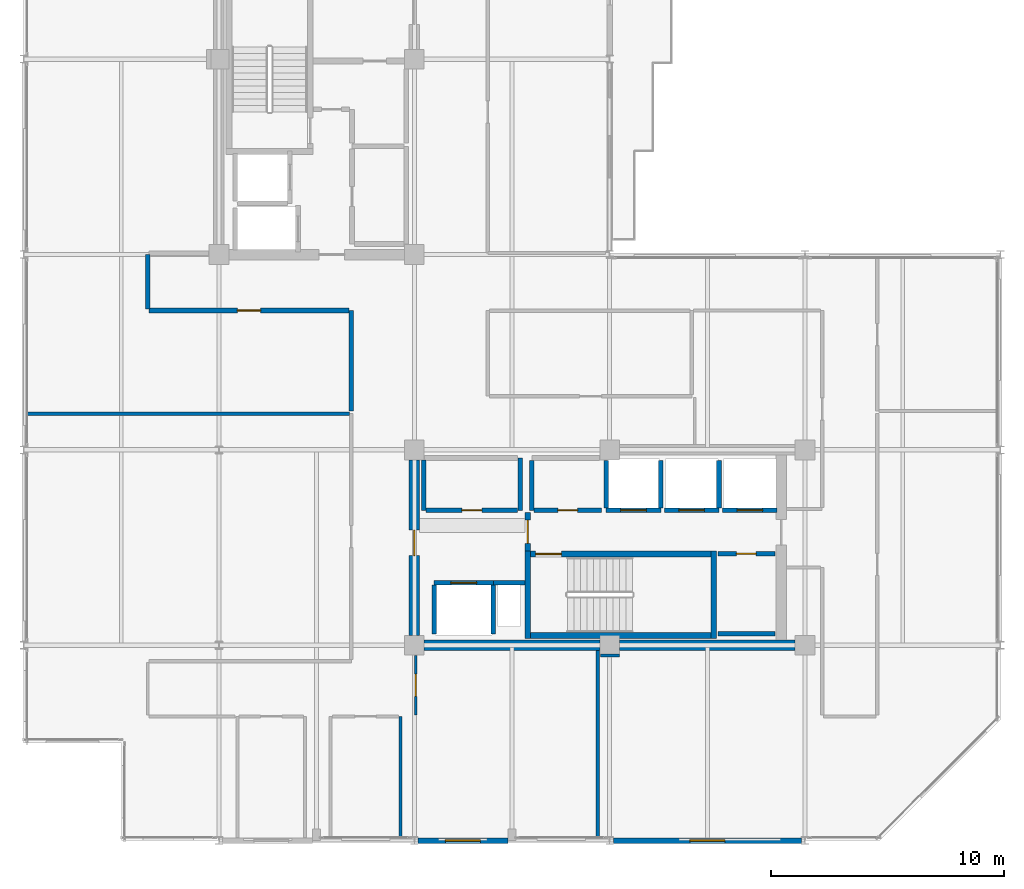
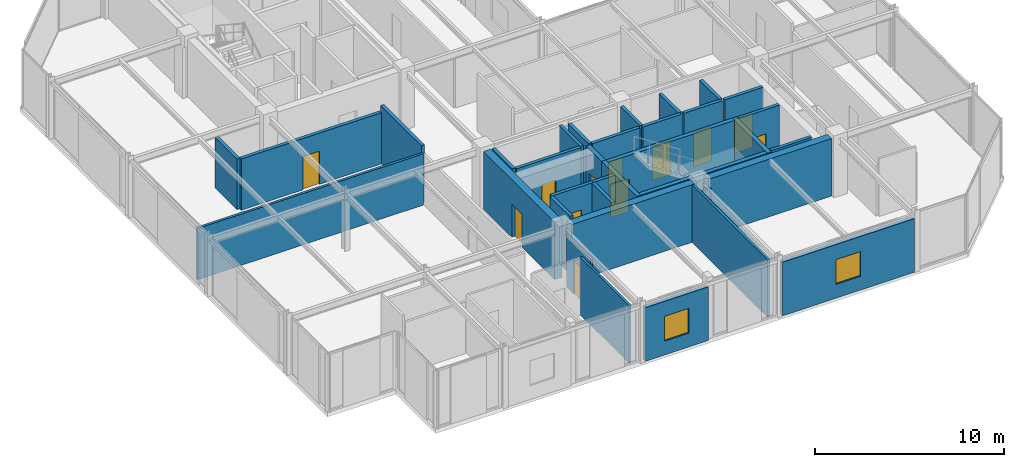
# One storey, part 21 of 26: 35 walls, 12 doors, 2 windows, 14 openings.
"""IFC4 building model written with IfcOpenShell, lengths in metres."""

from ifc_helpers import new_model, si_unit, direction, frame, frame_2d, origin, place, context, subcontext, project, spatial, rectangle, extrude, material, layer, layer_set, type_object, element, fill, save


model = new_model("IFC4")

# Units and contexts
model_context = context("Model", 3, precision=1e-05, world=origin(), true_north=direction((0.0, 1.0)))
body_context = subcontext(model_context, "Body", "Model", "MODEL_VIEW")
ifc_project = project(units=[si_unit("LENGTHUNIT", "METRE"), si_unit("AREAUNIT", "SQUARE_METRE"), si_unit("VOLUMEUNIT", "CUBIC_METRE"), si_unit("PLANEANGLEUNIT", "RADIAN"), si_unit("MASSUNIT", "GRAM", prefix="KILO")], contexts=[model_context])

# Site, building, storey
site_placement = place(None, origin())
site = spatial("IfcSite", under=ifc_project, at=site_placement, CompositionType="ELEMENT")
building_placement = place(site_placement, origin())
building = spatial("IfcBuilding", under=site, at=building_placement, Name="Nerrivon Quay Data Exchange", CompositionType="ELEMENT")
storey_placement = place(building_placement, frame((0.0, 0.0, 258.199951171875)))
storey = spatial("IfcBuildingStorey", under=building, at=storey_placement, Name="L61", CompositionType="ELEMENT", Elevation=258.199951171875)

# Wall, opening, window
ifc_material_1 = material(Name="Architectural terracotta precast concrete N50 (50 MPa)", Category="masonry")
ifc_layer_1 = layer(ifc_material_1, 0.239990234375)
ifc_layer_set_1 = layer_set([ifc_layer_1], Name="Architectural terracotta precast concrete N50 (50 MPa)")
wall_type_1 = type_object("IfcWallType", Name="EW-PREC-240", PredefinedType="STANDARD", material=ifc_layer_set_1)
wall_1_placement = place(storey_placement, frame((33.444580078125, 0.0, 0.0), z_axis=(0.0, 0.0, 1.0), x_axis=(-1.0, 0.0, 0.0)))
wall_1 = element("IfcWall", 1, at=wall_1_placement, inside=storey, type_object=wall_type_1, Name="L61 Podium Precast Spandrel Wall 3", PredefinedType="STANDARD", context=body_context, shape_type="SweptSolid", body=[
    extrude(rectangle(XDim=8.089111328125, YDim=0.239990234375, at=frame_2d((4.04443359375, 0.0))), origin(), (0.0, 0.0, 1.0), 3.47509765625),
])
opening_1_placement = place(wall_1_placement, frame((3.29443359375, 0.0, 0.89990234375)))
opening_1 = element("IfcOpeningElement", 2, at=opening_1_placement, cuts=wall_1, Name="Opening WN4", PredefinedType="OPENING", context=body_context, shape_type="SweptSolid", body=[
    extrude(rectangle(XDim=1.5, YDim=1.60009765625, at=frame_2d((0.75, 0.800048828125))), frame((0.0, 0.1298828125, 0.0), z_axis=(0.0, -1.0, 0.0), x_axis=(1.0, 0.0, 0.0)), (0.0, 0.0, 1.0), 0.260009765625),
])
ifc_material_2 = material(Name="Double-glazed low-E solar control glass", Category="glass")
window_type = type_object("IfcWindowType", Name="WIN-W4-1500x1600", PartitioningType="SINGLE_PANEL", PredefinedType="WINDOW", material=ifc_material_2)
window_1_placement = place(opening_1_placement, origin())
window_1 = element("IfcWindow", 3, at=window_1_placement, inside=storey, type_object=window_type, Name="L61 Solar Facade Window 3", OverallHeight=1.60009765625, OverallWidth=1.5, PartitioningType="SINGLE_PANEL", PredefinedType="WINDOW", context=body_context, shape_type="SweptSolid", body=[
    extrude(rectangle(XDim=1.5, YDim=1.60009765625, at=frame_2d((0.75, 0.800048828125))), frame((0.0, 0.030029296875, 0.0), z_axis=(0.0, -1.0, 0.0), x_axis=(1.0, 0.0, 0.0)), (0.0, 0.0, 1.0), 0.06005859375),
])
fill(opening_1, window_1)

wall_2_placement = place(storey_placement, frame((20.824951171875, 0.0, 0.0), z_axis=(0.0, 0.0, 1.0), x_axis=(-1.0, 0.0, 0.0)))
wall_2 = element("IfcWall", 4, at=wall_2_placement, inside=storey, type_object=wall_type_1, Name="L61 Podium Precast Spandrel Wall 5", PredefinedType="STANDARD", context=body_context, shape_type="SweptSolid", body=[
    extrude(rectangle(XDim=3.869384765625, YDim=0.239990234375, at=frame_2d((1.9345703125, 0.0))), origin(), (0.0, 0.0, 1.0), 3.47509765625),
])
opening_2_placement = place(wall_2_placement, frame((1.184814453125, 0.0, 0.89990234375)))
opening_2 = element("IfcOpeningElement", 5, at=opening_2_placement, cuts=wall_2, Name="Opening WN4", PredefinedType="OPENING", context=body_context, shape_type="SweptSolid", body=[
    extrude(rectangle(XDim=1.5, YDim=1.60009765625, at=frame_2d((0.75, 0.800048828125))), frame((0.0, 0.1298828125, 0.0), z_axis=(0.0, -1.0, 0.0), x_axis=(1.0, 0.0, 0.0)), (0.0, 0.0, 1.0), 0.260009765625),
])
window_2_placement = place(opening_2_placement, origin())
window_2 = element("IfcWindow", 6, at=window_2_placement, inside=storey, type_object=window_type, Name="L61 Solar Facade Window 5", OverallHeight=1.60009765625, OverallWidth=1.5, PartitioningType="SINGLE_PANEL", PredefinedType="WINDOW", context=body_context, shape_type="SweptSolid", body=[
    extrude(rectangle(XDim=1.5, YDim=1.60009765625, at=frame_2d((0.75, 0.800048828125))), frame((0.0, 0.030029296875, 0.0), z_axis=(0.0, -1.0, 0.0), x_axis=(1.0, 0.0, 0.0)), (0.0, 0.0, 1.0), 0.06005859375),
])
fill(opening_2, window_2)

# Walls
ifc_material_3 = material(Name="Concrete N50 (50 MPa)", Category="concrete")
ifc_layer_2 = layer(ifc_material_3, 0.449951171875)
ifc_layer_set_2 = layer_set([ifc_layer_2], Name="Concrete N50 (50 MPa)")
wall_type_2 = type_object("IfcWallType", Name="WALL-CW-550", PredefinedType="SHEAR", material=ifc_layer_set_2)
wall_3_placement = place(storey_placement, frame((17.22509765625, 8.39990234375, 0.0), z_axis=(0.0, 0.0, 1.0), x_axis=(1.0, 0.0, 0.0)))
element("IfcWall", 7, at=wall_3_placement, inside=storey, type_object=wall_type_2, Name="L61 East Split-Core Shear Wall ECW-S1", PredefinedType="SHEAR", context=body_context, shape_type="SweptSolid", body=[
    extrude(rectangle(XDim=7.5498046875, YDim=0.449951171875, at=frame_2d((3.77490234375, 0.0))), origin(), (0.0, 0.0, 1.0), 3.72509765625),
])
wall_4_placement = place(storey_placement, frame((25.625, 8.39990234375, 0.0), z_axis=(0.0, 0.0, 1.0), x_axis=(1.0, 0.0, 0.0)))
element("IfcWall", 8, at=wall_4_placement, inside=storey, type_object=wall_type_2, Name="L61 East Split-Core Shear Wall ECW-S2", PredefinedType="SHEAR", context=body_context, shape_type="SweptSolid", body=[
    extrude(rectangle(XDim=7.550048828125, YDim=0.449951171875, at=frame_2d((3.77490234375, 0.0))), origin(), (0.0, 0.0, 1.0), 3.72509765625),
])

# Wall, opening, door
wall_5_placement = place(storey_placement, frame((16.800048828125, 8.824951171875, 0.0), z_axis=(0.0, 0.0, 1.0), x_axis=(0.0, 1.0, 0.0)))
wall_5 = element("IfcWall", 9, at=wall_5_placement, inside=storey, type_object=wall_type_2, Name="L61 East Split-Core Shear Wall ECW-W1", PredefinedType="SHEAR", context=body_context, shape_type="SweptSolid", body=[
    extrude(rectangle(XDim=7.550048828125, YDim=0.449951171875, at=frame_2d((3.77490234375, 0.0))), origin(), (0.0, 0.0, 1.0), 3.72509765625),
])
opening_3_placement = place(wall_5_placement, frame((3.425048828125, 0.0, 0.0)))
opening_3 = element("IfcOpeningElement", 10, at=opening_3_placement, cuts=wall_5, Name="Opening FD-120", PredefinedType="OPENING", context=body_context, shape_type="SweptSolid", body=[
    extrude(rectangle(XDim=1.10009765625, YDim=2.14990234375, at=frame_2d((0.550048828125, 1.074951171875))), frame((0.0, 0.23486328125, 0.0), z_axis=(0.0, -1.0, 0.0), x_axis=(1.0, 0.0, 0.0)), (0.0, 0.0, 1.0), 0.469970703125),
])
ifc_material_4 = material(Name="Powder-coated galvanized steel sheet", Category="steel")
door_type_1 = type_object("IfcDoorType", Name="DR-FD120-1100", OperationType="NOTDEFINED", PredefinedType="DOOR", material=ifc_material_4)
door_1_placement = place(opening_3_placement, origin())
door_1 = element("IfcDoor", 11, at=door_1_placement, inside=storey, type_object=door_type_1, Name="L61 East Core Lobby Fire Door", OperationType="SINGLE_SWING_LEFT", OverallHeight=2.14990234375, OverallWidth=1.10009765625, PredefinedType="DOOR", context=body_context, shape_type="SweptSolid", body=[
    extrude(rectangle(XDim=1.10009765625, YDim=2.14990234375, at=frame_2d((0.550048828125, 1.074951171875))), frame((0.0, 0.02490234375, 0.0), z_axis=(0.0, -1.0, 0.0), x_axis=(1.0, 0.0, 0.0)), (0.0, 0.0, 1.0), 0.050048828125),
])
fill(opening_3, door_1)

# Wall
ifc_material_5 = material(Name="Gypsum plasterboard on cold-formed framing", Category="gypsum")
ifc_layer_3 = layer(ifc_material_5, 0.199951171875)
ifc_layer_set_3 = layer_set([ifc_layer_3], Name="Gypsum plasterboard on cold-formed framing")
wall_type_3 = type_object("IfcWallType", Name="WALL-FW-200", PredefinedType="PARTITIONING", material=ifc_layer_set_3)
wall_6_placement = place(storey_placement, frame((20.199951171875, 11.080078125, 0.0), z_axis=(0.0, 0.0, 1.0), x_axis=(1.0, 0.0, 0.0)))
element("IfcWall", 12, at=wall_6_placement, inside=storey, type_object=wall_type_3, Name="L61 East Core MEP Riser Shaft Wall N", PredefinedType="PARTITIONING", context=body_context, shape_type="SweptSolid", body=[
    extrude(rectangle(XDim=1.35009765625, YDim=0.199951171875, at=frame_2d((0.675048828125, 0.0))), origin(), (0.0, 0.0, 1.0), 3.72509765625),
])

# Wall, opening, door
wall_7_placement = place(storey_placement, frame((17.64990234375, 11.080078125, 0.0), z_axis=(0.0, 0.0, 1.0), x_axis=(1.0, 0.0, 0.0)))
wall_7 = element("IfcWall", 13, at=wall_7_placement, inside=storey, type_object=wall_type_3, Name="L61 Lift Front Wall FFL-2", PredefinedType="PARTITIONING", context=body_context, shape_type="SweptSolid", body=[
    extrude(rectangle(XDim=2.550048828125, YDim=0.199951171875, at=frame_2d((1.27490234375, 0.0))), origin(), (0.0, 0.0, 1.0), 3.72509765625),
])
opening_4_placement = place(wall_7_placement, frame((0.72509765625, 0.0, 0.0)))
opening_4 = element("IfcOpeningElement", 14, at=opening_4_placement, cuts=wall_7, Name="Opening LD-120", PredefinedType="OPENING", context=body_context, shape_type="SweptSolid", body=[
    extrude(rectangle(XDim=1.10009765625, YDim=2.199951171875, at=frame_2d((0.550048828125, 1.10009765625))), frame((0.0, 0.10986328125, 0.0), z_axis=(0.0, -1.0, 0.0), x_axis=(1.0, 0.0, 0.0)), (0.0, 0.0, 1.0), 0.219970703125),
])
door_type_2 = type_object("IfcDoorType", Name="DR-LIFT-LD120", OperationType="DOUBLE_DOOR_SLIDING", PredefinedType="DOOR", material=ifc_material_4)
door_2_placement = place(opening_4_placement, origin())
door_2 = element("IfcDoor", 15, at=door_2_placement, inside=storey, type_object=door_type_2, Name="L61 Lift Landing Sliding Door FFL-2", OperationType="DOUBLE_DOOR_SLIDING", OverallHeight=2.199951171875, OverallWidth=1.10009765625, PredefinedType="DOOR", context=body_context, shape_type="SweptSolid", body=[
    extrude(rectangle(XDim=1.10009765625, YDim=2.199951171875, at=frame_2d((0.550048828125, 1.10009765625))), frame((0.0, 0.02490234375, 0.0), z_axis=(0.0, -1.0, 0.0), x_axis=(1.0, 0.0, 0.0)), (0.0, 0.0, 1.0), 0.050048828125),
])
fill(opening_4, door_2)

# Walls
for number, where, z_axis, x_axis, name in (
    (16, (20.199951171875, 8.8798828125, 0.0), (0.0, 0.0, 1.0), (0.0, 1.0, 0.0), "L61 Lift Shaft Wall FFL-2 EAST"),
    (17, (17.64990234375, 8.8798828125, 0.0), (0.0, 0.0, 1.0), (0.0, 1.0, 0.0), "L61 Lift Shaft Wall FFL-2 WEST"),
):
    element("IfcWall", number, at=place(storey_placement, frame(where, z_axis=z_axis, x_axis=x_axis)), inside=storey, type_object=wall_type_3, Name=name, PredefinedType="PARTITIONING", context=body_context, shape_type="SweptSolid", body=[
        extrude(rectangle(XDim=2.10009765625, YDim=0.199951171875, at=frame_2d((1.050048828125, 0.0))), origin(), (0.0, 0.0, 1.0), 3.72509765625),
    ])

# Wall, opening, door
wall_8_placement = place(storey_placement, frame((25.050048828125, 14.199951171875, 0.0), z_axis=(0.0, 0.0, 1.0), x_axis=(1.0, 0.0, 0.0)))
wall_8 = element("IfcWall", 18, at=wall_8_placement, inside=storey, type_object=wall_type_3, Name="L61 Lift Front Wall PL7", PredefinedType="PARTITIONING", context=body_context, shape_type="SweptSolid", body=[
    extrude(rectangle(XDim=2.349853515625, YDim=0.199951171875, at=frame_2d((1.1748046875, 0.0))), origin(), (0.0, 0.0, 1.0), 3.72509765625),
])
opening_5_placement = place(wall_8_placement, frame((0.625, 0.0, 0.0)))
opening_5 = element("IfcOpeningElement", 19, at=opening_5_placement, cuts=wall_8, Name="Opening LD-120", PredefinedType="OPENING", context=body_context, shape_type="SweptSolid", body=[
    extrude(rectangle(XDim=1.10009765625, YDim=2.199951171875, at=frame_2d((0.550048828125, 1.10009765625))), frame((0.0, 0.10986328125, 0.0), z_axis=(0.0, -1.0, 0.0), x_axis=(1.0, 0.0, 0.0)), (0.0, 0.0, 1.0), 0.219970703125),
])
door_3_placement = place(opening_5_placement, origin())
door_3 = element("IfcDoor", 20, at=door_3_placement, inside=storey, type_object=door_type_2, Name="L61 Lift Landing Sliding Door PL7", OperationType="DOUBLE_DOOR_SLIDING", OverallHeight=2.199951171875, OverallWidth=1.10009765625, PredefinedType="DOOR", context=body_context, shape_type="SweptSolid", body=[
    extrude(rectangle(XDim=1.10009765625, YDim=2.199951171875, at=frame_2d((0.550048828125, 1.10009765625))), frame((0.0, 0.02490234375, 0.0), z_axis=(0.0, -1.0, 0.0), x_axis=(1.0, 0.0, 0.0)), (0.0, 0.0, 1.0), 0.050048828125),
])
fill(opening_5, door_3)

# Walls
for number, where, z_axis, x_axis, name in (
    (21, (27.39990234375, 14.300048828125, 0.0), (0.0, 0.0, 1.0), (0.0, 1.0, 0.0), "L61 Lift Shaft Wall PL7 EAST"),
    (22, (25.050048828125, 14.300048828125, 0.0), (0.0, 0.0, 1.0), (0.0, 1.0, 0.0), "L61 Lift Shaft Wall PL7 WEST"),
):
    element("IfcWall", number, at=place(storey_placement, frame(where, z_axis=z_axis, x_axis=x_axis)), inside=storey, type_object=wall_type_3, Name=name, PredefinedType="PARTITIONING", context=body_context, shape_type="SweptSolid", body=[
        extrude(rectangle(XDim=2.050048828125, YDim=0.199951171875, at=frame_2d((1.02490234375, 0.0))), origin(), (0.0, 0.0, 1.0), 3.72509765625),
    ])

# Wall, opening, door
wall_9_placement = place(storey_placement, frame((27.550048828125, 14.199951171875, 0.0), z_axis=(0.0, 0.0, 1.0), x_axis=(1.0, 0.0, 0.0)))
wall_9 = element("IfcWall", 23, at=wall_9_placement, inside=storey, type_object=wall_type_3, Name="L61 Lift Front Wall PL8", PredefinedType="PARTITIONING", context=body_context, shape_type="SweptSolid", body=[
    extrude(rectangle(XDim=2.349853515625, YDim=0.199951171875, at=frame_2d((1.1748046875, 0.0))), origin(), (0.0, 0.0, 1.0), 3.72509765625),
])
opening_6_placement = place(wall_9_placement, frame((0.625, 0.0, 0.0)))
opening_6 = element("IfcOpeningElement", 24, at=opening_6_placement, cuts=wall_9, Name="Opening LD-120", PredefinedType="OPENING", context=body_context, shape_type="SweptSolid", body=[
    extrude(rectangle(XDim=1.10009765625, YDim=2.199951171875, at=frame_2d((0.550048828125, 1.10009765625))), frame((0.0, 0.10986328125, 0.0), z_axis=(0.0, -1.0, 0.0), x_axis=(1.0, 0.0, 0.0)), (0.0, 0.0, 1.0), 0.219970703125),
])
door_4_placement = place(opening_6_placement, origin())
door_4 = element("IfcDoor", 25, at=door_4_placement, inside=storey, type_object=door_type_2, Name="L61 Lift Landing Sliding Door PL8", OperationType="DOUBLE_DOOR_SLIDING", OverallHeight=2.199951171875, OverallWidth=1.10009765625, PredefinedType="DOOR", context=body_context, shape_type="SweptSolid", body=[
    extrude(rectangle(XDim=1.10009765625, YDim=2.199951171875, at=frame_2d((0.550048828125, 1.10009765625))), frame((0.0, 0.02490234375, 0.0), z_axis=(0.0, -1.0, 0.0), x_axis=(1.0, 0.0, 0.0)), (0.0, 0.0, 1.0), 0.050048828125),
])
fill(opening_6, door_4)

# Wall
wall_10_placement = place(storey_placement, frame((29.89990234375, 14.300048828125, 0.0), z_axis=(0.0, 0.0, 1.0), x_axis=(0.0, 1.0, 0.0)))
element("IfcWall", 26, at=wall_10_placement, inside=storey, type_object=wall_type_3, Name="L61 Lift Shaft Wall PL8 EAST", PredefinedType="PARTITIONING", context=body_context, shape_type="SweptSolid", body=[
    extrude(rectangle(XDim=2.050048828125, YDim=0.199951171875, at=frame_2d((1.02490234375, 0.0))), origin(), (0.0, 0.0, 1.0), 3.72509765625),
])

# Wall, opening, door
wall_11_placement = place(storey_placement, frame((30.050048828125, 14.199951171875, 0.0), z_axis=(0.0, 0.0, 1.0), x_axis=(1.0, 0.0, 0.0)))
wall_11 = element("IfcWall", 27, at=wall_11_placement, inside=storey, type_object=wall_type_3, Name="L61 Lift Front Wall PL9", PredefinedType="PARTITIONING", context=body_context, shape_type="SweptSolid", body=[
    extrude(rectangle(XDim=2.349853515625, YDim=0.199951171875, at=frame_2d((1.1748046875, 0.0))), origin(), (0.0, 0.0, 1.0), 3.72509765625),
])
opening_7_placement = place(wall_11_placement, frame((0.625, 0.0, 0.0)))
opening_7 = element("IfcOpeningElement", 28, at=opening_7_placement, cuts=wall_11, Name="Opening LD-120", PredefinedType="OPENING", context=body_context, shape_type="SweptSolid", body=[
    extrude(rectangle(XDim=1.10009765625, YDim=2.199951171875, at=frame_2d((0.550048828125, 1.10009765625))), frame((0.0, 0.10986328125, 0.0), z_axis=(0.0, -1.0, 0.0), x_axis=(1.0, 0.0, 0.0)), (0.0, 0.0, 1.0), 0.219970703125),
])
door_5_placement = place(opening_7_placement, origin())
door_5 = element("IfcDoor", 29, at=door_5_placement, inside=storey, type_object=door_type_2, Name="L61 Lift Landing Sliding Door PL9", OperationType="DOUBLE_DOOR_SLIDING", OverallHeight=2.199951171875, OverallWidth=1.10009765625, PredefinedType="DOOR", context=body_context, shape_type="SweptSolid", body=[
    extrude(rectangle(XDim=1.10009765625, YDim=2.199951171875, at=frame_2d((0.550048828125, 1.10009765625))), frame((0.0, 0.02490234375, 0.0), z_axis=(0.0, -1.0, 0.0), x_axis=(1.0, 0.0, 0.0)), (0.0, 0.0, 1.0), 0.050048828125),
])
fill(opening_7, door_5)

# Walls
wall_12_placement = place(storey_placement, frame((21.35009765625, 14.199951171875, 0.0), z_axis=(0.0, 0.0, 1.0), x_axis=(0.0, 1.0, 0.0)))
element("IfcWall", 30, at=wall_12_placement, inside=storey, type_object=wall_type_3, Name="L61 Partition High-Zone Optical Closet", PredefinedType="PARTITIONING", context=body_context, shape_type="SweptSolid", body=[
    extrude(rectangle(XDim=2.25, YDim=0.199951171875, at=frame_2d((1.125, 0.0))), origin(), (0.0, 0.0, 1.0), 3.72509765625),
])
wall_13_placement = place(storey_placement, frame((17.199951171875, 16.3701171875, 0.0), z_axis=(0.0, 0.0, 1.0), x_axis=(0.0, -1.0, 0.0)))
element("IfcWall", 31, at=wall_13_placement, inside=storey, type_object=wall_type_3, Name="L61 Partition High-Zone Optical Closet", PredefinedType="PARTITIONING", context=body_context, shape_type="SweptSolid", body=[
    extrude(rectangle(XDim=2.170166015625, YDim=0.199951171875, at=frame_2d((1.0849609375, 0.0))), origin(), (0.0, 0.0, 1.0), 3.72509765625),
])

# Wall, opening, door
wall_14_placement = place(storey_placement, frame((17.303955078125, 14.199951171875, 0.0), z_axis=(0.0, 0.0, 1.0), x_axis=(1.0, 0.0, 0.0)))
wall_14 = element("IfcWall", 32, at=wall_14_placement, inside=storey, type_object=wall_type_3, Name="L61 Partition High-Zone Optical Closet", PredefinedType="PARTITIONING", context=body_context, shape_type="SweptSolid", body=[
    extrude(rectangle(XDim=3.942138671875, YDim=0.199951171875, at=frame_2d((1.97119140625, 0.0))), origin(), (0.0, 0.0, 1.0), 3.72509765625),
])
opening_8_placement = place(wall_14_placement, frame((1.5458984375, 0.0, 0.0)))
opening_8 = element("IfcOpeningElement", 33, at=opening_8_placement, cuts=wall_14, Name="Opening FD-60S", PredefinedType="OPENING", context=body_context, shape_type="SweptSolid", body=[
    extrude(rectangle(XDim=0.85009765625, YDim=2.14990234375, at=frame_2d((0.425048828125, 1.074951171875))), frame((0.0, 0.10986328125, 0.0), z_axis=(0.0, -1.0, 0.0), x_axis=(1.0, 0.0, 0.0)), (0.0, 0.0, 1.0), 0.219970703125),
])
ifc_material_6 = material(Name="Engineered hardwood timber", Category="wood")
door_type_3 = type_object("IfcDoorType", Name="DR-FD60-850", OperationType="NOTDEFINED", PredefinedType="DOOR", material=ifc_material_6)
door_6_placement = place(opening_8_placement, origin())
door_6 = element("IfcDoor", 34, at=door_6_placement, inside=storey, type_object=door_type_3, Name="L61 Door High-Zone Optical Closet", OperationType="SINGLE_SWING_RIGHT", OverallHeight=2.14990234375, OverallWidth=0.85009765625, PredefinedType="DOOR", context=body_context, shape_type="SweptSolid", body=[
    extrude(rectangle(XDim=0.85009765625, YDim=2.14990234375, at=frame_2d((0.425048828125, 1.074951171875))), frame((0.0, 0.02490234375, 0.0), z_axis=(0.0, -1.0, 0.0), x_axis=(1.0, 0.0, 0.0)), (0.0, 0.0, 1.0), 0.050048828125),
])
fill(opening_8, door_6)

# Wall
wall_15_placement = place(storey_placement, frame((21.85009765625, 16.345947265625, 0.0), z_axis=(0.0, 0.0, 1.0), x_axis=(0.0, -1.0, 0.0)))
element("IfcWall", 35, at=wall_15_placement, inside=storey, type_object=wall_type_3, Name="L61 Partition High-Zone Supply Store", PredefinedType="PARTITIONING", context=body_context, shape_type="SweptSolid", body=[
    extrude(rectangle(XDim=2.14599609375, YDim=0.199951171875, at=frame_2d((1.072998046875, 0.0))), origin(), (0.0, 0.0, 1.0), 3.72509765625),
])

# Wall, opening, door
wall_16_placement = place(storey_placement, frame((21.9541015625, 14.199951171875, 0.0), z_axis=(0.0, 0.0, 1.0), x_axis=(1.0, 0.0, 0.0)))
wall_16 = element("IfcWall", 36, at=wall_16_placement, inside=storey, type_object=wall_type_3, Name="L61 Partition High-Zone Supply Store", PredefinedType="PARTITIONING", context=body_context, shape_type="SweptSolid", body=[
    extrude(rectangle(XDim=2.89599609375, YDim=0.199951171875, at=frame_2d((1.447998046875, 0.0))), origin(), (0.0, 0.0, 1.0), 3.72509765625),
])
opening_9_placement = place(wall_16_placement, frame((1.02294921875, 0.0, 0.0)))
opening_9 = element("IfcOpeningElement", 37, at=opening_9_placement, cuts=wall_16, Name="Opening FD-60S", PredefinedType="OPENING", context=body_context, shape_type="SweptSolid", body=[
    extrude(rectangle(XDim=0.85009765625, YDim=2.14990234375, at=frame_2d((0.425048828125, 1.074951171875))), frame((0.0, 0.10986328125, 0.0), z_axis=(0.0, -1.0, 0.0), x_axis=(1.0, 0.0, 0.0)), (0.0, 0.0, 1.0), 0.219970703125),
])
door_7_placement = place(opening_9_placement, origin())
door_7 = element("IfcDoor", 38, at=door_7_placement, inside=storey, type_object=door_type_3, Name="L61 Door High-Zone Supply Store", OperationType="SINGLE_SWING_LEFT", OverallHeight=2.14990234375, OverallWidth=0.85009765625, PredefinedType="DOOR", context=body_context, shape_type="SweptSolid", body=[
    extrude(rectangle(XDim=0.85009765625, YDim=2.14990234375, at=frame_2d((0.425048828125, 1.074951171875))), frame((0.0, 0.02490234375, 0.0), z_axis=(0.0, -1.0, 0.0), x_axis=(1.0, 0.0, 0.0)), (0.0, 0.0, 1.0), 0.050048828125),
])
fill(opening_9, door_7)

wall_17_placement = place(storey_placement, frame((32.300048828125, 12.330078125, 0.0), z_axis=(0.0, 0.0, 1.0), x_axis=(-1.0, 0.0, 0.0)))
wall_17 = element("IfcWall", 39, at=wall_17_placement, inside=storey, type_object=wall_type_3, Name="L61 Partition East Supply Store", PredefinedType="PARTITIONING", context=body_context, shape_type="SweptSolid", body=[
    extrude(rectangle(XDim=2.449951171875, YDim=0.199951171875, at=frame_2d((1.22509765625, 0.0))), origin(), (0.0, 0.0, 1.0), 3.72509765625),
])
opening_10_placement = place(wall_17_placement, frame((0.800048828125, 0.0, 0.0)))
opening_10 = element("IfcOpeningElement", 40, at=opening_10_placement, cuts=wall_17, Name="Opening FD-60S", PredefinedType="OPENING", context=body_context, shape_type="SweptSolid", body=[
    extrude(rectangle(XDim=0.85009765625, YDim=2.14990234375, at=frame_2d((0.425048828125, 1.074951171875))), frame((0.0, 0.10986328125, 0.0), z_axis=(0.0, -1.0, 0.0), x_axis=(1.0, 0.0, 0.0)), (0.0, 0.0, 1.0), 0.219970703125),
])
door_8_placement = place(opening_10_placement, origin())
door_8 = element("IfcDoor", 41, at=door_8_placement, inside=storey, type_object=door_type_3, Name="L61 Door East Supply Store", OperationType="SINGLE_SWING_RIGHT", OverallHeight=2.14990234375, OverallWidth=0.85009765625, PredefinedType="DOOR", context=body_context, shape_type="SweptSolid", body=[
    extrude(rectangle(XDim=0.85009765625, YDim=2.14990234375, at=frame_2d((0.425048828125, 1.074951171875))), frame((0.0, 0.02490234375, 0.0), z_axis=(0.0, -1.0, 0.0), x_axis=(1.0, 0.0, 0.0)), (0.0, 0.0, 1.0), 0.050048828125),
])
fill(opening_10, door_8)

# Walls
wall_18_placement = place(storey_placement, frame((29.85009765625, 8.89990234375, 0.0), z_axis=(0.0, 0.0, 1.0), x_axis=(1.0, 0.0, 0.0)))
element("IfcWall", 42, at=wall_18_placement, inside=storey, type_object=wall_type_3, Name="L61 Partition East Supply Store", PredefinedType="PARTITIONING", context=body_context, shape_type="SweptSolid", body=[
    extrude(rectangle(XDim=2.449951171875, YDim=0.199951171875, at=frame_2d((1.22509765625, 0.0))), origin(), (0.0, 0.0, 1.0), 3.72509765625),
])
wall_19_placement = place(storey_placement, frame((14.090087890625, 18.474853515625, 0.0), z_axis=(0.0, 0.0, 1.0), x_axis=(0.0, 1.0, 0.0)))
element("IfcWall", 43, at=wall_19_placement, inside=storey, type_object=wall_type_3, Name="L61 Partition Colocation Data Workspace 1", PredefinedType="PARTITIONING", context=body_context, shape_type="SweptSolid", body=[
    extrude(rectangle(XDim=4.315185546875, YDim=0.199951171875, at=frame_2d((2.15771484375, 0.0))), origin(), (0.0, 0.0, 1.0), 3.72509765625),
])

# Wall, opening, door
wall_20_placement = place(storey_placement, frame((13.986083984375, 22.7900390625, 0.0), z_axis=(0.0, 0.0, 1.0), x_axis=(-1.0, 0.0, 0.0)))
wall_20 = element("IfcWall", 44, at=wall_20_placement, inside=storey, type_object=wall_type_3, Name="L61 Partition Colocation Data Workspace 1", PredefinedType="PARTITIONING", context=body_context, shape_type="SweptSolid", body=[
    extrude(rectangle(XDim=8.586181640625, YDim=0.199951171875, at=frame_2d((4.29296875, 0.0))), origin(), (0.0, 0.0, 1.0), 3.319091796875),
])
opening_11_placement = place(wall_20_placement, frame((3.79296875, 0.0, 0.0)))
opening_11 = element("IfcOpeningElement", 45, at=opening_11_placement, cuts=wall_20, Name="Opening FD-60", PredefinedType="OPENING", context=body_context, shape_type="SweptSolid", body=[
    extrude(rectangle(XDim=1.0, YDim=2.14990234375, at=frame_2d((0.5, 1.074951171875))), frame((0.0, 0.10986328125, 0.0), z_axis=(0.0, -1.0, 0.0), x_axis=(1.0, 0.0, 0.0)), (0.0, 0.0, 1.0), 0.219970703125),
])
door_type_4 = type_object("IfcDoorType", Name="DR-FD60-1000", OperationType="NOTDEFINED", PredefinedType="DOOR", material=ifc_material_6)
door_9_placement = place(opening_11_placement, origin())
door_9 = element("IfcDoor", 46, at=door_9_placement, inside=storey, type_object=door_type_4, Name="L61 Door Colocation Data Workspace 1", OperationType="SINGLE_SWING_RIGHT", OverallHeight=2.14990234375, OverallWidth=1.0, PredefinedType="DOOR", context=body_context, shape_type="SweptSolid", body=[
    extrude(rectangle(XDim=1.0, YDim=2.14990234375, at=frame_2d((0.5, 1.074951171875))), frame((0.0, 0.02490234375, 0.0), z_axis=(0.0, -1.0, 0.0), x_axis=(1.0, 0.0, 0.0)), (0.0, 0.0, 1.0), 0.050048828125),
])
fill(opening_11, door_9)

# Wall
wall_21_placement = place(storey_placement, frame((5.340087890625, 22.85009765625, 0.0), z_axis=(0.0, 0.0, 1.0), x_axis=(0.0, 1.0, 0.0)))
element("IfcWall", 47, at=wall_21_placement, inside=storey, type_object=wall_type_3, Name="L61 Partition Colocation Data Workspace 1", PredefinedType="PARTITIONING", context=body_context, shape_type="SweptSolid", body=[
    extrude(rectangle(XDim=2.349853515625, YDim=0.199951171875, at=frame_2d((1.1748046875, 0.0))), origin(), (0.0, 0.0, 1.0), 3.27099609375),
])

# Wall, opening, door
ifc_layer_4 = layer(ifc_material_5, 0.1201171875)
ifc_layer_set_4 = layer_set([ifc_layer_4], Name="Gypsum plasterboard on cold-formed framing")
wall_type_4 = type_object("IfcWallType", Name="WALL-PT-120", PredefinedType="PARTITIONING", material=ifc_layer_set_4)
wall_22_placement = place(storey_placement, frame((16.860107421875, 7.955078125, 0.0), z_axis=(0.0, 0.0, 1.0), x_axis=(0.0, -1.0, 0.0)))
wall_22 = element("IfcWall", 48, at=wall_22_placement, inside=storey, type_object=wall_type_4, Name="L61 Partition Staff Tea Pantry", PredefinedType="PARTITIONING", context=body_context, shape_type="SweptSolid", body=[
    extrude(rectangle(XDim=2.55517578125, YDim=0.1201171875, at=frame_2d((1.277587890625, 0.0))), origin(), (0.0, 0.0, 1.0), 3.319091796875),
])
opening_12_placement = place(wall_22_placement, frame((0.802490234375, 0.0, 0.0)))
opening_12 = element("IfcOpeningElement", 49, at=opening_12_placement, cuts=wall_22, Name="Opening D-01", PredefinedType="OPENING", context=body_context, shape_type="SweptSolid", body=[
    extrude(rectangle(XDim=0.949951171875, YDim=2.14990234375, at=frame_2d((0.47509765625, 1.074951171875))), frame((0.0, 0.070068359375, 0.0), z_axis=(0.0, -1.0, 0.0), x_axis=(1.0, 0.0, 0.0)), (0.0, 0.0, 1.0), 0.14013671875),
])
door_type_5 = type_object("IfcDoorType", Name="DR-INT-950", OperationType="NOTDEFINED", PredefinedType="DOOR", material=ifc_material_6)
door_10_placement = place(opening_12_placement, origin())
door_10 = element("IfcDoor", 50, at=door_10_placement, inside=storey, type_object=door_type_5, Name="L61 Door Staff Tea Pantry", OperationType="SINGLE_SWING_LEFT", OverallHeight=2.14990234375, OverallWidth=0.949951171875, PredefinedType="DOOR", context=body_context, shape_type="SweptSolid", body=[
    extrude(rectangle(XDim=0.949951171875, YDim=2.14990234375, at=frame_2d((0.47509765625, 1.074951171875))), frame((0.0, 0.02490234375, 0.0), z_axis=(0.0, -1.0, 0.0), x_axis=(1.0, 0.0, 0.0)), (0.0, 0.0, 1.0), 0.050048828125),
])
fill(opening_12, door_10)

# Walls
wall_23_placement = place(storey_placement, frame((25.630859375, 7.955810546875, 0.0), z_axis=(0.0, 0.0, 1.0), x_axis=(-0.999999606339, -0.000887311097, 0.0)))
element("IfcWall", 51, at=wall_23_placement, inside=storey, type_object=wall_type_4, Name="L61 Partition Peering Day Lounge", PredefinedType="PARTITIONING", context=body_context, shape_type="SweptSolid", body=[
    extrude(rectangle(XDim=0.825439453125, YDim=0.1201171875, at=frame_2d((0.41259765625, 0.0))), origin(), (0.0, 0.0, 1.0), 3.319091796875),
])
ifc_layer_5 = layer(ifc_material_5, 0.135009765625)
ifc_layer_set_5 = layer_set([ifc_layer_5], Name="Gypsum plasterboard on cold-formed framing")
wall_type_5 = type_object("IfcWallType", Name="WALL-PT-135", PredefinedType="PARTITIONING", material=ifc_layer_set_5)
wall_24_placement = place(storey_placement, frame((16.199951171875, 0.1689453125, 0.0), z_axis=(0.0, 0.0, 1.0), x_axis=(0.0, 1.0, 0.0)))
element("IfcWall", 52, at=wall_24_placement, inside=storey, type_object=wall_type_5, Name="L61 Partition Accessible Toilet", PredefinedType="PARTITIONING", context=body_context, shape_type="SweptSolid", body=[
    extrude(rectangle(XDim=5.171142578125, YDim=0.135009765625, at=frame_2d((2.58544921875, 0.0))), origin(), (0.0, 0.0, 1.0), 3.72509765625),
])
ifc_layer_6 = layer(ifc_material_5, 0.14990234375)
ifc_layer_set_6 = layer_set([ifc_layer_6], Name="Gypsum plasterboard on cold-formed framing")
wall_type_6 = type_object("IfcWallType", Name="WALL-PT-150", PredefinedType="PARTITIONING", material=ifc_layer_set_6)
wall_25_placement = place(storey_placement, frame((24.685546875, 0.1689453125, 0.0), z_axis=(0.0, 0.0, 1.0), x_axis=(0.0, 1.0, 0.0)))
element("IfcWall", 53, at=wall_25_placement, inside=storey, type_object=wall_type_6, Name="L61 Partition Staff Tea Pantry", PredefinedType="PARTITIONING", context=body_context, shape_type="SweptSolid", body=[
    extrude(rectangle(XDim=8.001953125, YDim=0.14990234375, at=frame_2d((4.0009765625, 0.0))), origin(), (0.0, 0.0, 1.0), 3.72509765625),
])
wall_26_placement = place(storey_placement, frame((14.010986328125, 18.354736328125, 0.0), z_axis=(0.0, 0.0, 1.0), x_axis=(-1.0, 0.0, 0.0)))
element("IfcWall", 54, at=wall_26_placement, inside=storey, type_object=wall_type_6, Name="L61 Partition Technical Library", PredefinedType="PARTITIONING", context=body_context, shape_type="SweptSolid", body=[
    extrude(rectangle(XDim=13.842041015625, YDim=0.14990234375, at=frame_2d((6.9208984375, 0.0))), origin(), (0.0, 0.0, 1.0), 3.319091796875),
])
ifc_layer_7 = layer(ifc_material_3, 0.25)
ifc_layer_set_7 = layer_set([ifc_layer_7], Name="Concrete N50 (50 MPa)")
wall_type_7 = type_object("IfcWallType", Name="WALL-SW-250", PredefinedType="SHEAR", material=ifc_layer_set_7)
for number, where, z_axis, x_axis, name in (
    (55, (21.675048828125, 8.699951171875, 0.0), (0.0, 0.0, 1.0), (0.0, 1.0, 0.0), "L61 ST02 Structural Stair Core Wall NEAR"),
    (56, (29.675048828125, 8.699951171875, 0.0), (0.0, 0.0, 1.0), (0.0, 1.0, 0.0), "L61 ST02 Structural Stair Core Wall FAR"),
):
    element("IfcWall", number, at=place(storey_placement, frame(where, z_axis=z_axis, x_axis=x_axis)), inside=storey, type_object=wall_type_7, Name=name, PredefinedType="SHEAR", context=body_context, shape_type="SweptSolid", body=[
        extrude(rectangle(XDim=3.75, YDim=0.25, at=frame_2d((1.875, 0.0))), origin(), (0.0, 0.0, 1.0), 3.72509765625),
    ])
wall_27_placement = place(storey_placement, frame((21.800048828125, 8.824951171875, 0.0), z_axis=(0.0, 0.0, 1.0), x_axis=(1.0, 0.0, 0.0)))
element("IfcWall", 57, at=wall_27_placement, inside=storey, type_object=wall_type_7, Name="L61 ST02 Structural Stair Core Wall LEFT", PredefinedType="SHEAR", context=body_context, shape_type="SweptSolid", body=[
    extrude(rectangle(XDim=7.75, YDim=0.25, at=frame_2d((3.875, 0.0))), origin(), (0.0, 0.0, 1.0), 3.72509765625),
])

# Wall, opening, door
wall_28_placement = place(storey_placement, frame((21.800048828125, 12.324951171875, 0.0), z_axis=(0.0, 0.0, 1.0), x_axis=(1.0, 0.0, 0.0)))
wall_28 = element("IfcWall", 58, at=wall_28_placement, inside=storey, type_object=wall_type_7, Name="L61 ST02 Structural Stair Core Wall RIGHT", PredefinedType="SHEAR", context=body_context, shape_type="SweptSolid", body=[
    extrude(rectangle(XDim=7.75, YDim=0.25, at=frame_2d((3.875, 0.0))), origin(), (0.0, 0.0, 1.0), 3.72509765625),
])
opening_13_placement = place(wall_28_placement, frame((0.219970703125, 0.0, 0.0)))
opening_13 = element("IfcOpeningElement", 59, at=opening_13_placement, cuts=wall_28, Name="Opening FD-120", PredefinedType="OPENING", context=body_context, shape_type="SweptSolid", body=[
    extrude(rectangle(XDim=1.10009765625, YDim=2.14990234375, at=frame_2d((0.550048828125, 1.074951171875))), frame((0.0, 0.135009765625, 0.0), z_axis=(0.0, -1.0, 0.0), x_axis=(1.0, 0.0, 0.0)), (0.0, 0.0, 1.0), 0.27001953125),
])
door_11_placement = place(opening_13_placement, origin())
door_11 = element("IfcDoor", 60, at=door_11_placement, inside=storey, type_object=door_type_1, Name="L61 Protected Stair Door ST02", OperationType="SINGLE_SWING_LEFT", OverallHeight=2.14990234375, OverallWidth=1.10009765625, PredefinedType="DOOR", context=body_context, shape_type="SweptSolid", body=[
    extrude(rectangle(XDim=1.10009765625, YDim=2.14990234375, at=frame_2d((0.550048828125, 1.074951171875))), frame((0.0, 0.02490234375, 0.0), z_axis=(0.0, -1.0, 0.0), x_axis=(1.0, 0.0, 0.0)), (0.0, 0.0, 1.0), 0.050048828125),
])
fill(opening_13, door_11)

wall_29_placement = place(storey_placement, frame((21.679931640625, 12.449951171875, 0.0), z_axis=(0.0, 0.0, 1.0), x_axis=(0.0, 1.0, 0.0)))
wall_29 = element("IfcWall", 61, at=wall_29_placement, inside=storey, type_object=wall_type_7, Name="L61 East Firefighting Lobby Wall", PredefinedType="SHEAR", context=body_context, shape_type="SweptSolid", body=[
    extrude(rectangle(XDim=1.650146484375, YDim=0.25, at=frame_2d((0.8251953125, 0.0))), origin(), (0.0, 0.0, 1.0), 3.72509765625),
])
opening_14_placement = place(wall_29_placement, frame((0.324951171875, 0.0, 0.0)))
opening_14 = element("IfcOpeningElement", 62, at=opening_14_placement, cuts=wall_29, Name="Opening FD-60", PredefinedType="OPENING", context=body_context, shape_type="SweptSolid", body=[
    extrude(rectangle(XDim=1.0, YDim=2.14990234375, at=frame_2d((0.5, 1.074951171875))), frame((0.0, 0.135009765625, 0.0), z_axis=(0.0, -1.0, 0.0), x_axis=(1.0, 0.0, 0.0)), (0.0, 0.0, 1.0), 0.27001953125),
])
door_12_placement = place(opening_14_placement, origin())
door_12 = element("IfcDoor", 63, at=door_12_placement, inside=storey, type_object=door_type_4, Name="L61 East Firefighting Lobby Fire Door", OperationType="SINGLE_SWING_LEFT", OverallHeight=2.14990234375, OverallWidth=1.0, PredefinedType="DOOR", context=body_context, shape_type="SweptSolid", body=[
    extrude(rectangle(XDim=1.0, YDim=2.14990234375, at=frame_2d((0.5, 1.074951171875))), frame((0.0, 0.02490234375, 0.0), z_axis=(0.0, -1.0, 0.0), x_axis=(1.0, 0.0, 0.0)), (0.0, 0.0, 1.0), 0.050048828125),
])
fill(opening_14, door_12)

save(model, "model.ifc")
